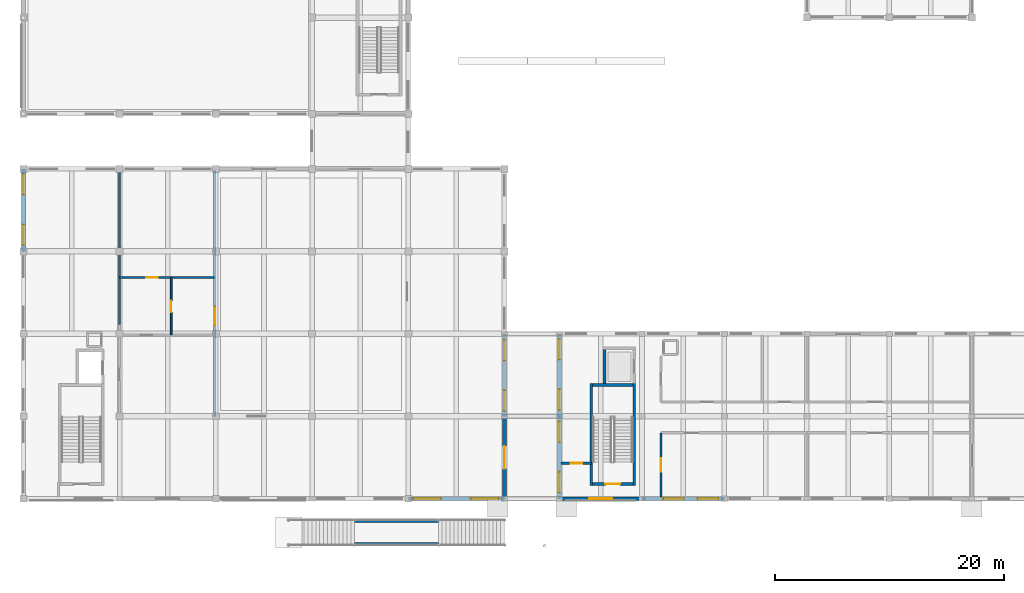
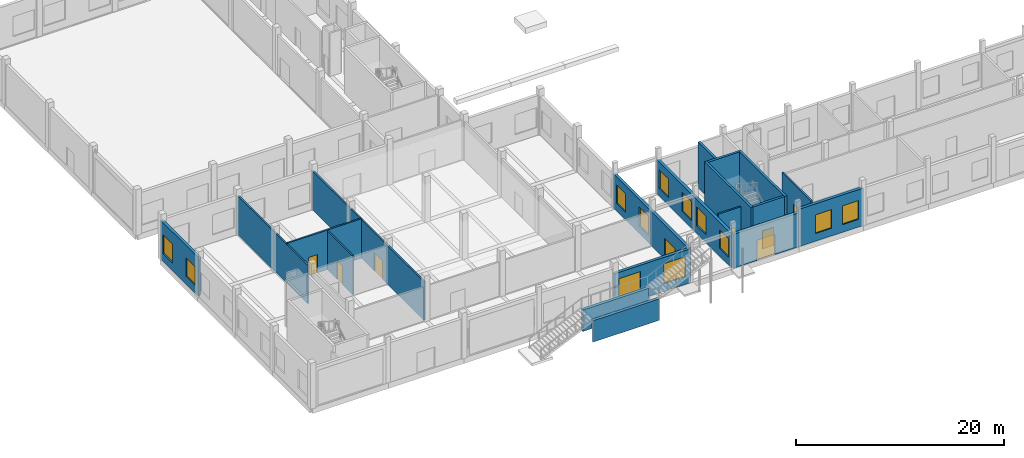
# One storey, part 15 of 41: 21 walls, 12 windows, 8 doors, 20 openings.
"""IFC4 building model written with IfcOpenShell, lengths in metres."""

from ifc_helpers import new_model, si_unit, direction, frame, frame_2d, origin, place, context, subcontext, project, spatial, rectangle, extrude, material, layer, layer_set, type_object, element, fill, save


model = new_model("IFC4")

# Units and contexts
model_context = context("Model", 3, precision=1e-05, world=origin(), true_north=direction((0.0, 1.0)))
body_context = subcontext(model_context, "Body", "Model", "MODEL_VIEW")
ifc_project = project(units=[si_unit("LENGTHUNIT", "METRE"), si_unit("AREAUNIT", "SQUARE_METRE"), si_unit("VOLUMEUNIT", "CUBIC_METRE"), si_unit("PLANEANGLEUNIT", "RADIAN"), si_unit("MASSUNIT", "GRAM", prefix="KILO")], contexts=[model_context])

# Site, building, storey
site_placement = place(None, origin())
site = spatial("IfcSite", under=ifc_project, at=site_placement, CompositionType="ELEMENT")
building_placement = place(site_placement, origin())
building = spatial("IfcBuilding", under=site, at=building_placement, Name="Kahlenmark Community Centre", CompositionType="ELEMENT")
storey_placement = place(building_placement, origin())
storey = spatial("IfcBuildingStorey", under=building, at=storey_placement, Name="L00", CompositionType="ELEMENT", Elevation=0.0)

# Wall, opening, door
ifc_material_1 = material(Name="Concrete C35/45", Category="concrete")
ifc_layer_1 = layer(ifc_material_1, 0.25)
ifc_layer_set_1 = layer_set([ifc_layer_1], Name="Concrete C35/45")
wall_type_1 = type_object("IfcWallType", Name="WT-CORE-250", PredefinedType="SHEAR", material=ifc_layer_set_1)
wall_1_placement = place(storey_placement, frame((53.699951171875, 10.074951171875, 0.0), z_axis=(0.0, 0.0, 1.0), x_axis=(1.0, 0.0, 0.0)))
wall_1 = element("IfcWall", 1, at=wall_1_placement, inside=storey, type_object=wall_type_1, Name="Core K3 shear wall WL-CORE-K3-L00-0071", PredefinedType="SHEAR", context=body_context, shape_type="SweptSolid", body=[
    extrude(rectangle(XDim=3.5, YDim=0.25, at=frame_2d((1.75, 0.0))), origin(), (0.0, 0.0, 1.0), 5.39990234375),
])
opening_1_placement = place(wall_1_placement, frame((1.10009765625, 0.0, -0.010009765625)))
opening_1 = element("IfcOpeningElement", 2, at=opening_1_placement, cuts=wall_1, Name="Opening FD-K3-L00", PredefinedType="OPENING", context=body_context, shape_type="SweptSolid", body=[
    extrude(rectangle(XDim=1.300048828125, YDim=2.159912109375, at=frame_2d((0.64990234375, 1.080078125))), frame((0.0, 0.135009765625, 0.0), z_axis=(0.0, -1.0, 0.0), x_axis=(1.0, 0.0, 0.0)), (0.0, 0.0, 1.0), 0.27001953125),
])
ifc_material_2 = material(Name="Fire-rated steel-framed timber door FD60S", Category="steel")
door_type_1 = type_object("IfcDoorType", Name="DT-FD-K3-L00", OperationType="NOTDEFINED", PredefinedType="DOOR", material=ifc_material_2)
door_1_placement = place(opening_1_placement, frame((0.0, 0.0, 0.010009765625)))
door_1 = element("IfcDoor", 3, at=door_1_placement, inside=storey, type_object=door_type_1, Name="Core K3 stair fire door L00", OperationType="SINGLE_SWING_RIGHT", OverallHeight=2.14990234375, OverallWidth=1.300048828125, PredefinedType="DOOR", context=body_context, shape_type="SweptSolid", body=[
    extrude(rectangle(XDim=1.300048828125, YDim=2.14990234375, at=frame_2d((0.64990234375, 1.074951171875))), frame((0.0, 0.02490234375, 0.0), z_axis=(0.0, -1.0, 0.0), x_axis=(1.0, 0.0, 0.0)), (0.0, 0.0, 1.0), 0.050048828125),
])
fill(opening_1, door_1)

# Walls
wall_2_placement = place(storey_placement, frame((53.574951171875, 9.949951171875, 0.0), z_axis=(0.0, 0.0, 1.0), x_axis=(0.0, 1.0, 0.0)))
element("IfcWall", 4, at=wall_2_placement, inside=storey, type_object=wall_type_1, Name="Core K3 shear wall WL-CORE-K3-L00-0072", PredefinedType="SHEAR", context=body_context, shape_type="SweptSolid", body=[
    extrude(rectangle(XDim=8.900146484375, YDim=0.25, at=frame_2d((4.4501953125, 0.0))), origin(), (0.0, 0.0, 1.0), 5.39990234375),
])
wall_3_placement = place(storey_placement, frame((57.199951171875, 18.72509765625, 0.0), z_axis=(0.0, 0.0, 1.0), x_axis=(-1.0, 0.0, 0.0)))
element("IfcWall", 5, at=wall_3_placement, inside=storey, type_object=wall_type_1, Name="Core K3 shear wall WL-CORE-K3-L00-0073", PredefinedType="SHEAR", context=body_context, shape_type="SweptSolid", body=[
    extrude(rectangle(XDim=3.5, YDim=0.25, at=frame_2d((1.75, 0.0))), origin(), (0.0, 0.0, 1.0), 5.39990234375),
])
wall_4_placement = place(storey_placement, frame((57.324951171875, 9.949951171875, 0.0), z_axis=(0.0, 0.0, 1.0), x_axis=(0.0, 1.0, 0.0)))
element("IfcWall", 6, at=wall_4_placement, inside=storey, type_object=wall_type_1, Name="Core K3 shear wall WL-CORE-K3-L00-0074", PredefinedType="SHEAR", context=body_context, shape_type="SweptSolid", body=[
    extrude(rectangle(XDim=8.900146484375, YDim=0.25, at=frame_2d((4.4501953125, 0.0))), origin(), (0.0, 0.0, 1.0), 5.39990234375),
])
wall_5_placement = place(storey_placement, frame((54.715087890625, 18.85009765625, 0.0), z_axis=(0.0, 0.0, 1.0), x_axis=(0.0, 1.0, 0.0)))
element("IfcWall", 7, at=wall_5_placement, inside=storey, type_object=wall_type_1, Name="Core K3 shear wall WL-CORE-K3-L00-0077", PredefinedType="SHEAR", context=body_context, shape_type="SweptSolid", body=[
    extrude(rectangle(XDim=3.2099609375, YDim=0.25, at=frame_2d((1.60498046875, 0.0))), origin(), (0.0, 0.0, 1.0), 5.39990234375),
])

# Wall, openings, windows
ifc_material_3 = material(Name="Danube limestone masonry", Category="masonry")
ifc_layer_2 = layer(ifc_material_3, 0.320068359375)
ifc_layer_set_2 = layer_set([ifc_layer_2], Name="Danube limestone masonry")
wall_type_2 = type_object("IfcWallType", Name="WT-EW-320", PredefinedType="SOLIDWALL", material=ifc_layer_set_2)
wall_6_placement = place(storey_placement, frame((37.60009765625, 8.800048828125, 0.0), z_axis=(0.0, 0.0, 1.0), x_axis=(1.0, 0.0, 0.0)))
wall_6 = element("IfcWall", 8, at=wall_6_placement, inside=storey, type_object=wall_type_2, Name="Exterior wall WL-EXT-L00-0139", PredefinedType="SOLIDWALL", context=body_context, shape_type="SweptSolid", body=[
    extrude(rectangle(XDim=8.39990234375, YDim=0.320068359375, at=frame_2d((4.199951171875, 0.0))), origin(), (0.0, 0.0, 1.0), 3.989990234375),
])
opening_2_placement = place(wall_6_placement, frame((0.4599609375, 0.0, 0.89990234375)))
opening_2 = element("IfcOpeningElement", 9, at=opening_2_placement, cuts=wall_6, Name="Opening W-240X235", PredefinedType="OPENING", context=body_context, shape_type="SweptSolid", body=[
    extrude(rectangle(XDim=2.39990234375, YDim=2.35009765625, at=frame_2d((1.199951171875, 1.175048828125))), frame((0.0, 0.169921875, 0.0), z_axis=(0.0, -1.0, 0.0), x_axis=(1.0, 0.0, 0.0)), (0.0, 0.0, 1.0), 0.340087890625),
])
opening_3_placement = place(wall_6_placement, frame((5.4599609375, 0.0, 0.89990234375)))
opening_3 = element("IfcOpeningElement", 10, at=opening_3_placement, cuts=wall_6, Name="Opening W-240X235", PredefinedType="OPENING", context=body_context, shape_type="SweptSolid", body=[
    extrude(rectangle(XDim=2.39990234375, YDim=2.35009765625, at=frame_2d((1.199951171875, 1.175048828125))), frame((0.0, 0.169921875, 0.0), z_axis=(0.0, -1.0, 0.0), x_axis=(1.0, 0.0, 0.0)), (0.0, 0.0, 1.0), 0.340087890625),
])
ifc_material_4 = material(Name="Triple low-e insulated glazing in timber-aluminium frame", Category="wood")
window_type_1 = type_object("IfcWindowType", Name="WNT-240X235", PartitioningType="TRIPLE_PANEL_VERTICAL", PredefinedType="WINDOW", material=ifc_material_4)
window_1_placement = place(opening_2_placement, origin())
window_1 = element("IfcWindow", 11, at=window_1_placement, inside=storey, type_object=window_type_1, Name="Window W-240X235 #0006", OverallHeight=2.35009765625, OverallWidth=2.39990234375, PartitioningType="TRIPLE_PANEL_VERTICAL", PredefinedType="WINDOW", context=body_context, shape_type="SweptSolid", body=[
    extrude(rectangle(XDim=2.39990234375, YDim=2.35009765625, at=frame_2d((1.199951171875, 1.175048828125))), frame((0.0, 0.030029296875, 0.0), z_axis=(0.0, -1.0, 0.0), x_axis=(1.0, 0.0, 0.0)), (0.0, 0.0, 1.0), 0.06005859375),
])
fill(opening_2, window_1)
window_2_placement = place(opening_3_placement, origin())
window_2 = element("IfcWindow", 12, at=window_2_placement, inside=storey, type_object=window_type_1, Name="Window W-240X235 #0007", OverallHeight=2.35009765625, OverallWidth=2.39990234375, PartitioningType="TRIPLE_PANEL_VERTICAL", PredefinedType="WINDOW", context=body_context, shape_type="SweptSolid", body=[
    extrude(rectangle(XDim=2.39990234375, YDim=2.35009765625, at=frame_2d((1.199951171875, 1.175048828125))), frame((0.0, 0.030029296875, 0.0), z_axis=(0.0, -1.0, 0.0), x_axis=(1.0, 0.0, 0.0)), (0.0, 0.0, 1.0), 0.06005859375),
])
fill(opening_3, window_2)

wall_7_placement = place(storey_placement, frame((4.0, 37.60009765625, 0.0), z_axis=(0.0, 0.0, 1.0), x_axis=(0.0, -1.0, 0.0)))
wall_7 = element("IfcWall", 13, at=wall_7_placement, inside=storey, type_object=wall_type_2, Name="Exterior wall WL-EXT-L00-0147", PredefinedType="SOLIDWALL", context=body_context, shape_type="SweptSolid", body=[
    extrude(rectangle(XDim=7.2001953125, YDim=0.320068359375, at=frame_2d((3.60009765625, 0.0))), origin(), (0.0, 0.0, 1.0), 4.5400390625),
])
opening_4_placement = place(wall_7_placement, frame((0.4599609375, 0.0, 0.89990234375)))
opening_4 = element("IfcOpeningElement", 14, at=opening_4_placement, cuts=wall_7, Name="Opening W-180X220", PredefinedType="OPENING", context=body_context, shape_type="SweptSolid", body=[
    extrude(rectangle(XDim=1.800048828125, YDim=2.199951171875, at=frame_2d((0.89990234375, 1.10009765625))), frame((0.0, 0.169921875, 0.0), z_axis=(0.0, -1.0, 0.0), x_axis=(1.0, 0.0, 0.0)), (0.0, 0.0, 1.0), 0.340087890625),
])
opening_5_placement = place(wall_7_placement, frame((4.860107421875, 0.0, 0.89990234375)))
opening_5 = element("IfcOpeningElement", 15, at=opening_5_placement, cuts=wall_7, Name="Opening W-180X220", PredefinedType="OPENING", context=body_context, shape_type="SweptSolid", body=[
    extrude(rectangle(XDim=1.800048828125, YDim=2.199951171875, at=frame_2d((0.89990234375, 1.10009765625))), frame((0.0, 0.169921875, 0.0), z_axis=(0.0, -1.0, 0.0), x_axis=(1.0, 0.0, 0.0)), (0.0, 0.0, 1.0), 0.340087890625),
])
window_type_2 = type_object("IfcWindowType", Name="WNT-180X220", PartitioningType="DOUBLE_PANEL_VERTICAL", PredefinedType="WINDOW", material=ifc_material_4)
window_3_placement = place(opening_4_placement, origin())
window_3 = element("IfcWindow", 16, at=window_3_placement, inside=storey, type_object=window_type_2, Name="Window W-180X220 #0020", OverallHeight=2.199951171875, OverallWidth=1.800048828125, PartitioningType="DOUBLE_PANEL_VERTICAL", PredefinedType="WINDOW", context=body_context, shape_type="SweptSolid", body=[
    extrude(rectangle(XDim=1.800048828125, YDim=2.199951171875, at=frame_2d((0.89990234375, 1.10009765625))), frame((0.0, 0.030029296875, 0.0), z_axis=(0.0, -1.0, 0.0), x_axis=(1.0, 0.0, 0.0)), (0.0, 0.0, 1.0), 0.06005859375),
])
fill(opening_4, window_3)
window_4_placement = place(opening_5_placement, origin())
window_4 = element("IfcWindow", 17, at=window_4_placement, inside=storey, type_object=window_type_2, Name="Window W-180X220 #0021", OverallHeight=2.199951171875, OverallWidth=1.800048828125, PartitioningType="DOUBLE_PANEL_VERTICAL", PredefinedType="WINDOW", context=body_context, shape_type="SweptSolid", body=[
    extrude(rectangle(XDim=1.800048828125, YDim=2.199951171875, at=frame_2d((0.89990234375, 1.10009765625))), frame((0.0, 0.030029296875, 0.0), z_axis=(0.0, -1.0, 0.0), x_axis=(1.0, 0.0, 0.0)), (0.0, 0.0, 1.0), 0.06005859375),
])
fill(opening_5, window_4)

# Wall, opening, door
wall_8_placement = place(storey_placement, frame((46.0, 8.800048828125, 0.0), z_axis=(0.0, 0.0, 1.0), x_axis=(0.0, 1.0, 0.0)))
wall_8 = element("IfcWall", 18, at=wall_8_placement, inside=storey, type_object=wall_type_2, Name="Exterior wall WL-EXT-L00-0148", PredefinedType="SOLIDWALL", context=body_context, shape_type="SweptSolid", body=[
    extrude(rectangle(XDim=7.199951171875, YDim=0.320068359375, at=frame_2d((3.60009765625, 0.0))), origin(), (0.0, 0.0, 1.0), 3.989990234375),
])
opening_6_placement = place(wall_8_placement, frame((2.60009765625, 0.0, -0.010009765625)))
opening_6 = element("IfcOpeningElement", 19, at=opening_6_placement, cuts=wall_8, Name="Opening D-E02", PredefinedType="OPENING", context=body_context, shape_type="SweptSolid", body=[
    extrude(rectangle(XDim=2.0, YDim=2.409912109375, at=frame_2d((1.0, 1.205078125))), frame((0.0, 0.169921875, 0.0), z_axis=(0.0, -1.0, 0.0), x_axis=(1.0, 0.0, 0.0)), (0.0, 0.0, 1.0), 0.340087890625),
])
ifc_material_5 = material(Name="Thermally broken glazed aluminium double entrance door", Category="aluminium")
door_type_2 = type_object("IfcDoorType", Name="DT-EXT-200X240", OperationType="NOTDEFINED", PredefinedType="DOOR", material=ifc_material_5)
door_2_placement = place(opening_6_placement, frame((0.0, 0.0, 0.010009765625)))
door_2 = element("IfcDoor", 20, at=door_2_placement, inside=storey, type_object=door_type_2, Name="Exterior door D-E02", OperationType="DOUBLE_SWING_LEFT", OverallHeight=2.39990234375, OverallWidth=2.0, PredefinedType="DOOR", context=body_context, shape_type="SweptSolid", body=[
    extrude(rectangle(XDim=2.0, YDim=2.39990234375, at=frame_2d((1.0, 1.199951171875))), frame((0.0, 0.02490234375, 0.0), z_axis=(0.0, -1.0, 0.0), x_axis=(1.0, 0.0, 0.0)), (0.0, 0.0, 1.0), 0.050048828125),
])
fill(opening_6, door_2)

# Wall, openings, windows
wall_9_placement = place(storey_placement, frame((46.0, 16.0, 0.0), z_axis=(0.0, 0.0, 1.0), x_axis=(0.0, 1.0, 0.0)))
wall_9 = element("IfcWall", 21, at=wall_9_placement, inside=storey, type_object=wall_type_2, Name="Exterior wall WL-EXT-L00-0149", PredefinedType="SOLIDWALL", context=body_context, shape_type="SweptSolid", body=[
    extrude(rectangle(XDim=7.199951171875, YDim=0.320068359375, at=frame_2d((3.60009765625, 0.0))), origin(), (0.0, 0.0, 1.0), 3.989990234375),
])
opening_7_placement = place(wall_9_placement, frame((0.4599609375, 0.0, 0.89990234375)))
opening_7 = element("IfcOpeningElement", 22, at=opening_7_placement, cuts=wall_9, Name="Opening W-180X220", PredefinedType="OPENING", context=body_context, shape_type="SweptSolid", body=[
    extrude(rectangle(XDim=1.800048828125, YDim=2.199951171875, at=frame_2d((0.89990234375, 1.10009765625))), frame((0.0, 0.169921875, 0.0), z_axis=(0.0, -1.0, 0.0), x_axis=(1.0, 0.0, 0.0)), (0.0, 0.0, 1.0), 0.340087890625),
])
opening_8_placement = place(wall_9_placement, frame((4.860107421875, 0.0, 0.89990234375)))
opening_8 = element("IfcOpeningElement", 23, at=opening_8_placement, cuts=wall_9, Name="Opening W-180X220", PredefinedType="OPENING", context=body_context, shape_type="SweptSolid", body=[
    extrude(rectangle(XDim=1.800048828125, YDim=2.199951171875, at=frame_2d((0.89990234375, 1.10009765625))), frame((0.0, 0.169921875, 0.0), z_axis=(0.0, -1.0, 0.0), x_axis=(1.0, 0.0, 0.0)), (0.0, 0.0, 1.0), 0.340087890625),
])
window_5_placement = place(opening_7_placement, origin())
window_5 = element("IfcWindow", 24, at=window_5_placement, inside=storey, type_object=window_type_2, Name="Window W-180X220 #0022", OverallHeight=2.199951171875, OverallWidth=1.800048828125, PartitioningType="DOUBLE_PANEL_VERTICAL", PredefinedType="WINDOW", context=body_context, shape_type="SweptSolid", body=[
    extrude(rectangle(XDim=1.800048828125, YDim=2.199951171875, at=frame_2d((0.89990234375, 1.10009765625))), frame((0.0, 0.030029296875, 0.0), z_axis=(0.0, -1.0, 0.0), x_axis=(1.0, 0.0, 0.0)), (0.0, 0.0, 1.0), 0.06005859375),
])
fill(opening_7, window_5)
window_6_placement = place(opening_8_placement, origin())
window_6 = element("IfcWindow", 25, at=window_6_placement, inside=storey, type_object=window_type_2, Name="Window W-180X220 #0023", OverallHeight=2.199951171875, OverallWidth=1.800048828125, PartitioningType="DOUBLE_PANEL_VERTICAL", PredefinedType="WINDOW", context=body_context, shape_type="SweptSolid", body=[
    extrude(rectangle(XDim=1.800048828125, YDim=2.199951171875, at=frame_2d((0.89990234375, 1.10009765625))), frame((0.0, 0.030029296875, 0.0), z_axis=(0.0, -1.0, 0.0), x_axis=(1.0, 0.0, 0.0)), (0.0, 0.0, 1.0), 0.06005859375),
])
fill(opening_8, window_6)

# Wall, opening, door
wall_10_placement = place(storey_placement, frame((50.800048828125, 8.800048828125, 0.0), z_axis=(0.0, 0.0, 1.0), x_axis=(1.0, 0.0, 0.0)))
wall_10 = element("IfcWall", 26, at=wall_10_placement, inside=storey, type_object=wall_type_2, Name="Exterior wall WL-EXT-L00-0167", PredefinedType="SOLIDWALL", context=body_context, shape_type="SweptSolid", body=[
    extrude(rectangle(XDim=7.199951171875, YDim=0.320068359375, at=frame_2d((3.60009765625, 0.0))), origin(), (0.0, 0.0, 1.0), 3.989990234375),
])
opening_9_placement = place(wall_10_placement, frame((2.60009765625, 0.0, -0.010009765625)))
opening_9 = element("IfcOpeningElement", 27, at=opening_9_placement, cuts=wall_10, Name="Opening D-E04", PredefinedType="OPENING", context=body_context, shape_type="SweptSolid", body=[
    extrude(rectangle(XDim=2.0, YDim=2.409912109375, at=frame_2d((1.0, 1.205078125))), frame((0.0, 0.169921875, 0.0), z_axis=(0.0, -1.0, 0.0), x_axis=(1.0, 0.0, 0.0)), (0.0, 0.0, 1.0), 0.340087890625),
])
door_3_placement = place(opening_9_placement, frame((0.0, 0.0, 0.010009765625)))
door_3 = element("IfcDoor", 28, at=door_3_placement, inside=storey, type_object=door_type_2, Name="Exterior door D-E04", OperationType="DOUBLE_SWING_LEFT", OverallHeight=2.39990234375, OverallWidth=2.0, PredefinedType="DOOR", context=body_context, shape_type="SweptSolid", body=[
    extrude(rectangle(XDim=2.0, YDim=2.39990234375, at=frame_2d((1.0, 1.199951171875))), frame((0.0, 0.02490234375, 0.0), z_axis=(0.0, -1.0, 0.0), x_axis=(1.0, 0.0, 0.0)), (0.0, 0.0, 1.0), 0.050048828125),
])
fill(opening_9, door_3)

# Wall, openings, windows
wall_11_placement = place(storey_placement, frame((58.0, 8.800048828125, 0.0), z_axis=(0.0, 0.0, 1.0), x_axis=(1.0, 0.0, 0.0)))
wall_11 = element("IfcWall", 29, at=wall_11_placement, inside=storey, type_object=wall_type_2, Name="Exterior wall WL-EXT-L00-0168", PredefinedType="SOLIDWALL", context=body_context, shape_type="SweptSolid", body=[
    extrude(rectangle(XDim=7.199951171875, YDim=0.320068359375, at=frame_2d((3.60009765625, 0.0))), origin(), (0.0, 0.0, 1.0), 4.389892578125),
])
opening_10_placement = place(wall_11_placement, frame((1.860107421875, 0.0, 0.89990234375)))
opening_10 = element("IfcOpeningElement", 30, at=opening_10_placement, cuts=wall_11, Name="Opening W-180X220", PredefinedType="OPENING", context=body_context, shape_type="SweptSolid", body=[
    extrude(rectangle(XDim=1.800048828125, YDim=2.199951171875, at=frame_2d((0.89990234375, 1.10009765625))), frame((0.0, 0.169921875, 0.0), z_axis=(0.0, -1.0, 0.0), x_axis=(1.0, 0.0, 0.0)), (0.0, 0.0, 1.0), 0.340087890625),
])
opening_11_placement = place(wall_11_placement, frame((4.860107421875, 0.0, 0.89990234375)))
opening_11 = element("IfcOpeningElement", 31, at=opening_11_placement, cuts=wall_11, Name="Opening W-180X220", PredefinedType="OPENING", context=body_context, shape_type="SweptSolid", body=[
    extrude(rectangle(XDim=1.800048828125, YDim=2.199951171875, at=frame_2d((0.89990234375, 1.10009765625))), frame((0.0, 0.169921875, 0.0), z_axis=(0.0, -1.0, 0.0), x_axis=(1.0, 0.0, 0.0)), (0.0, 0.0, 1.0), 0.340087890625),
])
window_7_placement = place(opening_10_placement, origin())
window_7 = element("IfcWindow", 32, at=window_7_placement, inside=storey, type_object=window_type_2, Name="Window W-180X220 #0048", OverallHeight=2.199951171875, OverallWidth=1.800048828125, PartitioningType="DOUBLE_PANEL_VERTICAL", PredefinedType="WINDOW", context=body_context, shape_type="SweptSolid", body=[
    extrude(rectangle(XDim=1.800048828125, YDim=2.199951171875, at=frame_2d((0.89990234375, 1.10009765625))), frame((0.0, 0.030029296875, 0.0), z_axis=(0.0, -1.0, 0.0), x_axis=(1.0, 0.0, 0.0)), (0.0, 0.0, 1.0), 0.06005859375),
])
fill(opening_10, window_7)
window_8_placement = place(opening_11_placement, origin())
window_8 = element("IfcWindow", 33, at=window_8_placement, inside=storey, type_object=window_type_2, Name="Window W-180X220 #0049", OverallHeight=2.199951171875, OverallWidth=1.800048828125, PartitioningType="DOUBLE_PANEL_VERTICAL", PredefinedType="WINDOW", context=body_context, shape_type="SweptSolid", body=[
    extrude(rectangle(XDim=1.800048828125, YDim=2.199951171875, at=frame_2d((0.89990234375, 1.10009765625))), frame((0.0, 0.030029296875, 0.0), z_axis=(0.0, -1.0, 0.0), x_axis=(1.0, 0.0, 0.0)), (0.0, 0.0, 1.0), 0.06005859375),
])
fill(opening_11, window_8)

wall_12_placement = place(storey_placement, frame((50.800048828125, 16.0, 0.0), z_axis=(0.0, 0.0, 1.0), x_axis=(0.0, -1.0, 0.0)))
wall_12 = element("IfcWall", 34, at=wall_12_placement, inside=storey, type_object=wall_type_2, Name="Exterior wall WL-EXT-L00-0177", PredefinedType="SOLIDWALL", context=body_context, shape_type="SweptSolid", body=[
    extrude(rectangle(XDim=7.199951171875, YDim=0.320068359375, at=frame_2d((3.60009765625, 0.0))), origin(), (0.0, 0.0, 1.0), 3.989990234375),
])
opening_12_placement = place(wall_12_placement, frame((0.4599609375, 0.0, 0.89990234375)))
opening_12 = element("IfcOpeningElement", 35, at=opening_12_placement, cuts=wall_12, Name="Opening W-180X220", PredefinedType="OPENING", context=body_context, shape_type="SweptSolid", body=[
    extrude(rectangle(XDim=1.800048828125, YDim=2.199951171875, at=frame_2d((0.89990234375, 1.10009765625))), frame((0.0, 0.169921875, 0.0), z_axis=(0.0, -1.0, 0.0), x_axis=(1.0, 0.0, 0.0)), (0.0, 0.0, 1.0), 0.340087890625),
])
opening_13_placement = place(wall_12_placement, frame((4.860107421875, 0.0, 0.89990234375)))
opening_13 = element("IfcOpeningElement", 36, at=opening_13_placement, cuts=wall_12, Name="Opening W-180X220", PredefinedType="OPENING", context=body_context, shape_type="SweptSolid", body=[
    extrude(rectangle(XDim=1.800048828125, YDim=2.199951171875, at=frame_2d((0.89990234375, 1.10009765625))), frame((0.0, 0.169921875, 0.0), z_axis=(0.0, -1.0, 0.0), x_axis=(1.0, 0.0, 0.0)), (0.0, 0.0, 1.0), 0.340087890625),
])
window_9_placement = place(opening_12_placement, origin())
window_9 = element("IfcWindow", 37, at=window_9_placement, inside=storey, type_object=window_type_2, Name="Window W-180X220 #0062", OverallHeight=2.199951171875, OverallWidth=1.800048828125, PartitioningType="DOUBLE_PANEL_VERTICAL", PredefinedType="WINDOW", context=body_context, shape_type="SweptSolid", body=[
    extrude(rectangle(XDim=1.800048828125, YDim=2.199951171875, at=frame_2d((0.89990234375, 1.10009765625))), frame((0.0, 0.030029296875, 0.0), z_axis=(0.0, -1.0, 0.0), x_axis=(1.0, 0.0, 0.0)), (0.0, 0.0, 1.0), 0.06005859375),
])
fill(opening_12, window_9)
window_10_placement = place(opening_13_placement, origin())
window_10 = element("IfcWindow", 38, at=window_10_placement, inside=storey, type_object=window_type_2, Name="Window W-180X220 #0063", OverallHeight=2.199951171875, OverallWidth=1.800048828125, PartitioningType="DOUBLE_PANEL_VERTICAL", PredefinedType="WINDOW", context=body_context, shape_type="SweptSolid", body=[
    extrude(rectangle(XDim=1.800048828125, YDim=2.199951171875, at=frame_2d((0.89990234375, 1.10009765625))), frame((0.0, 0.030029296875, 0.0), z_axis=(0.0, -1.0, 0.0), x_axis=(1.0, 0.0, 0.0)), (0.0, 0.0, 1.0), 0.06005859375),
])
fill(opening_13, window_10)

wall_13_placement = place(storey_placement, frame((50.800048828125, 23.199951171875, 0.0), z_axis=(0.0, 0.0, 1.0), x_axis=(0.0, -1.0, 0.0)))
wall_13 = element("IfcWall", 39, at=wall_13_placement, inside=storey, type_object=wall_type_2, Name="Exterior wall WL-EXT-L00-0178", PredefinedType="SOLIDWALL", context=body_context, shape_type="SweptSolid", body=[
    extrude(rectangle(XDim=7.199951171875, YDim=0.320068359375, at=frame_2d((3.60009765625, 0.0))), origin(), (0.0, 0.0, 1.0), 3.989990234375),
])
opening_14_placement = place(wall_13_placement, frame((0.4599609375, 0.0, 0.89990234375)))
opening_14 = element("IfcOpeningElement", 40, at=opening_14_placement, cuts=wall_13, Name="Opening W-180X220", PredefinedType="OPENING", context=body_context, shape_type="SweptSolid", body=[
    extrude(rectangle(XDim=1.800048828125, YDim=2.199951171875, at=frame_2d((0.89990234375, 1.10009765625))), frame((0.0, 0.169921875, 0.0), z_axis=(0.0, -1.0, 0.0), x_axis=(1.0, 0.0, 0.0)), (0.0, 0.0, 1.0), 0.340087890625),
])
opening_15_placement = place(wall_13_placement, frame((4.860107421875, 0.0, 0.89990234375)))
opening_15 = element("IfcOpeningElement", 41, at=opening_15_placement, cuts=wall_13, Name="Opening W-180X220", PredefinedType="OPENING", context=body_context, shape_type="SweptSolid", body=[
    extrude(rectangle(XDim=1.800048828125, YDim=2.199951171875, at=frame_2d((0.89990234375, 1.10009765625))), frame((0.0, 0.169921875, 0.0), z_axis=(0.0, -1.0, 0.0), x_axis=(1.0, 0.0, 0.0)), (0.0, 0.0, 1.0), 0.340087890625),
])
window_11_placement = place(opening_14_placement, origin())
window_11 = element("IfcWindow", 42, at=window_11_placement, inside=storey, type_object=window_type_2, Name="Window W-180X220 #0064", OverallHeight=2.199951171875, OverallWidth=1.800048828125, PartitioningType="DOUBLE_PANEL_VERTICAL", PredefinedType="WINDOW", context=body_context, shape_type="SweptSolid", body=[
    extrude(rectangle(XDim=1.800048828125, YDim=2.199951171875, at=frame_2d((0.89990234375, 1.10009765625))), frame((0.0, 0.030029296875, 0.0), z_axis=(0.0, -1.0, 0.0), x_axis=(1.0, 0.0, 0.0)), (0.0, 0.0, 1.0), 0.06005859375),
])
fill(opening_14, window_11)
window_12_placement = place(opening_15_placement, origin())
window_12 = element("IfcWindow", 43, at=window_12_placement, inside=storey, type_object=window_type_2, Name="Window W-180X220 #0065", OverallHeight=2.199951171875, OverallWidth=1.800048828125, PartitioningType="DOUBLE_PANEL_VERTICAL", PredefinedType="WINDOW", context=body_context, shape_type="SweptSolid", body=[
    extrude(rectangle(XDim=1.800048828125, YDim=2.199951171875, at=frame_2d((0.89990234375, 1.10009765625))), frame((0.0, 0.030029296875, 0.0), z_axis=(0.0, -1.0, 0.0), x_axis=(1.0, 0.0, 0.0)), (0.0, 0.0, 1.0), 0.06005859375),
])
fill(opening_15, window_12)

# Wall, opening, door
ifc_material_6 = material(Name="Gypsum plasterboard partition", Category="gypsum")
ifc_layer_3 = layer(ifc_material_6, 0.14990234375)
ifc_layer_set_3 = layer_set([ifc_layer_3], Name="Gypsum plasterboard partition")
wall_type_3 = type_object("IfcWallType", Name="WT-PW-150", PredefinedType="PARTITIONING", material=ifc_layer_set_3)
wall_14_placement = place(storey_placement, frame((16.89990234375, 23.10009765625, 0.0), z_axis=(0.0, 0.0, 1.0), x_axis=(0.0, 1.0, 0.0)))
wall_14 = element("IfcWall", 44, at=wall_14_placement, inside=storey, type_object=wall_type_3, Name="Interior partition WL-INT-L00-0021", PredefinedType="PARTITIONING", context=body_context, shape_type="SweptSolid", body=[
    extrude(rectangle(XDim=5.0, YDim=0.14990234375, at=frame_2d((2.5, 0.0))), origin(), (0.0, 0.0, 1.0), 4.5400390625),
])
opening_16_placement = place(wall_14_placement, frame((2.0, 0.0, -0.010009765625)))
opening_16 = element("IfcOpeningElement", 45, at=opening_16_placement, cuts=wall_14, Name="Opening D-L00-013", PredefinedType="OPENING", context=body_context, shape_type="SweptSolid", body=[
    extrude(rectangle(XDim=1.0, YDim=2.159912109375, at=frame_2d((0.5, 1.080078125))), frame((0.0, 0.0849609375, 0.0), z_axis=(0.0, -1.0, 0.0), x_axis=(1.0, 0.0, 0.0)), (0.0, 0.0, 1.0), 0.169921875),
])
ifc_material_7 = material(Name="Oak timber veneer door leaf", Category="wood")
door_type_3 = type_object("IfcDoorType", Name="DT-INT-100X215", OperationType="NOTDEFINED", PredefinedType="DOOR", material=ifc_material_7)
door_4_placement = place(opening_16_placement, frame((0.0, 0.0, 0.010009765625)))
door_4 = element("IfcDoor", 46, at=door_4_placement, inside=storey, type_object=door_type_3, Name="Interior door D-L00-013", OperationType="SINGLE_SWING_RIGHT", OverallHeight=2.14990234375, OverallWidth=1.0, PredefinedType="DOOR", context=body_context, shape_type="SweptSolid", body=[
    extrude(rectangle(XDim=1.0, YDim=2.14990234375, at=frame_2d((0.5, 1.074951171875))), frame((0.0, 0.02490234375, 0.0), z_axis=(0.0, -1.0, 0.0), x_axis=(1.0, 0.0, 0.0)), (0.0, 0.0, 1.0), 0.050048828125),
])
fill(opening_16, door_4)

# Wall
ifc_layer_4 = layer(ifc_material_6, 0.179931640625)
ifc_layer_set_4 = layer_set([ifc_layer_4], Name="Gypsum plasterboard partition")
wall_type_4 = type_object("IfcWallType", Name="WT-PW-180", PredefinedType="PARTITIONING", material=ifc_layer_set_4)
wall_15_placement = place(storey_placement, frame((12.39990234375, 24.0, 0.0), z_axis=(0.0, 0.0, 1.0), x_axis=(0.0, 1.0, 0.0)))
element("IfcWall", 47, at=wall_15_placement, inside=storey, type_object=wall_type_4, Name="Interior partition WL-INT-L00-0017", PredefinedType="PARTITIONING", context=body_context, shape_type="SweptSolid", body=[
    extrude(rectangle(XDim=13.449951171875, YDim=0.179931640625, at=frame_2d((6.72509765625, 0.0))), origin(), (0.0, 0.0, 1.0), 4.5400390625),
])

# Wall, opening, door
wall_16_placement = place(storey_placement, frame((20.699951171875, 16.0, 0.0), z_axis=(0.0, 0.0, 1.0), x_axis=(0.0, 1.0, 0.0)))
wall_16 = element("IfcWall", 48, at=wall_16_placement, inside=storey, type_object=wall_type_4, Name="Interior partition WL-INT-L00-0018", PredefinedType="PARTITIONING", context=body_context, shape_type="SweptSolid", body=[
    extrude(rectangle(XDim=21.449951171875, YDim=0.179931640625, at=frame_2d((10.72509765625, 0.0))), origin(), (0.0, 0.0, 1.0), 4.5400390625),
])
opening_17_placement = place(wall_16_placement, frame((7.93994140625, 0.0, -0.010009765625)))
opening_17 = element("IfcOpeningElement", 49, at=opening_17_placement, cuts=wall_16, Name="Opening D-L00-010", PredefinedType="OPENING", context=body_context, shape_type="SweptSolid", body=[
    extrude(rectangle(XDim=1.60009765625, YDim=2.2099609375, at=frame_2d((0.800048828125, 1.10498046875))), frame((0.0, 0.099853515625, 0.0), z_axis=(0.0, -1.0, 0.0), x_axis=(1.0, 0.0, 0.0)), (0.0, 0.0, 1.0), 0.199951171875),
])
ifc_material_8 = material(Name="Oak double-leaf acoustic door")
door_type_4 = type_object("IfcDoorType", Name="DT-DBL-160X220", OperationType="NOTDEFINED", PredefinedType="DOOR", material=ifc_material_8)
door_5_placement = place(opening_17_placement, frame((0.0, 0.0, 0.010009765625)))
door_5 = element("IfcDoor", 50, at=door_5_placement, inside=storey, type_object=door_type_4, Name="Interior door D-L00-010", OperationType="DOUBLE_SWING_LEFT", OverallHeight=2.199951171875, OverallWidth=1.60009765625, PredefinedType="DOOR", context=body_context, shape_type="SweptSolid", body=[
    extrude(rectangle(XDim=1.60009765625, YDim=2.199951171875, at=frame_2d((0.800048828125, 1.10009765625))), frame((0.0, 0.02490234375, 0.0), z_axis=(0.0, -1.0, 0.0), x_axis=(1.0, 0.0, 0.0)), (0.0, 0.0, 1.0), 0.050048828125),
])
fill(opening_17, door_5)

wall_17_placement = place(storey_placement, frame((12.39990234375, 28.10009765625, 0.0), z_axis=(0.0, 0.0, 1.0), x_axis=(1.0, 0.0, 0.0)))
wall_17 = element("IfcWall", 51, at=wall_17_placement, inside=storey, type_object=wall_type_4, Name="Interior partition WL-INT-L00-0022", PredefinedType="PARTITIONING", context=body_context, shape_type="SweptSolid", body=[
    extrude(rectangle(XDim=8.300048828125, YDim=0.179931640625, at=frame_2d((4.14990234375, 0.0))), origin(), (0.0, 0.0, 1.0), 4.639892578125),
])
opening_18_placement = place(wall_17_placement, frame((2.3359375, 0.0, -0.010009765625)))
opening_18 = element("IfcOpeningElement", 52, at=opening_18_placement, cuts=wall_17, Name="Opening D-L00-014", PredefinedType="OPENING", context=body_context, shape_type="SweptSolid", body=[
    extrude(rectangle(XDim=1.0, YDim=2.159912109375, at=frame_2d((0.5, 1.080078125))), frame((0.0, 0.099853515625, 0.0), z_axis=(0.0, -1.0, 0.0), x_axis=(1.0, 0.0, 0.0)), (0.0, 0.0, 1.0), 0.199951171875),
])
door_6_placement = place(opening_18_placement, frame((0.0, 0.0, 0.010009765625)))
door_6 = element("IfcDoor", 53, at=door_6_placement, inside=storey, type_object=door_type_3, Name="Interior door D-L00-014", OperationType="SINGLE_SWING_LEFT", OverallHeight=2.14990234375, OverallWidth=1.0, PredefinedType="DOOR", context=body_context, shape_type="SweptSolid", body=[
    extrude(rectangle(XDim=1.0, YDim=2.14990234375, at=frame_2d((0.5, 1.074951171875))), frame((0.0, 0.02490234375, 0.0), z_axis=(0.0, -1.0, 0.0), x_axis=(1.0, 0.0, 0.0)), (0.0, 0.0, 1.0), 0.050048828125),
])
fill(opening_18, door_6)

wall_18_placement = place(storey_placement, frame((50.949951171875, 11.89990234375, 0.0), z_axis=(0.0, 0.0, 1.0), x_axis=(1.0, 0.0, 0.0)))
wall_18 = element("IfcWall", 54, at=wall_18_placement, inside=storey, type_object=wall_type_4, Name="Interior partition WL-INT-L00-0031", PredefinedType="PARTITIONING", context=body_context, shape_type="SweptSolid", body=[
    extrude(rectangle(XDim=2.650146484375, YDim=0.179931640625, at=frame_2d((1.3251953125, 0.0))), origin(), (0.0, 0.0, 1.0), 4.389892578125),
])
opening_19_placement = place(wall_18_placement, frame((0.824951171875, 0.0, -0.010009765625)))
opening_19 = element("IfcOpeningElement", 55, at=opening_19_placement, cuts=wall_18, Name="Opening D-L00-021", PredefinedType="OPENING", context=body_context, shape_type="SweptSolid", body=[
    extrude(rectangle(XDim=1.0, YDim=2.159912109375, at=frame_2d((0.5, 1.080078125))), frame((0.0, 0.099853515625, 0.0), z_axis=(0.0, -1.0, 0.0), x_axis=(1.0, 0.0, 0.0)), (0.0, 0.0, 1.0), 0.199951171875),
])
door_7_placement = place(opening_19_placement, frame((1.0, 0.0, 0.010009765625), z_axis=(0.0, 0.0, 1.0), x_axis=(-1.0, 0.0, 0.0)))
door_7 = element("IfcDoor", 56, at=door_7_placement, inside=storey, type_object=door_type_3, Name="Interior door D-L00-021", OperationType="SINGLE_SWING_RIGHT", OverallHeight=2.14990234375, OverallWidth=1.0, PredefinedType="DOOR", context=body_context, shape_type="SweptSolid", body=[
    extrude(rectangle(XDim=1.0, YDim=2.14990234375, at=frame_2d((0.5, 1.074951171875))), frame((0.0, 0.02490234375, 0.0), z_axis=(0.0, -1.0, 0.0), x_axis=(1.0, 0.0, 0.0)), (0.0, 0.0, 1.0), 0.050048828125),
])
fill(opening_19, door_7)

wall_19_placement = place(storey_placement, frame((59.64990234375, 8.949951171875, 0.0), z_axis=(0.0, 0.0, 1.0), x_axis=(0.0, 1.0, 0.0)))
wall_19 = element("IfcWall", 57, at=wall_19_placement, inside=storey, type_object=wall_type_4, Name="Interior partition WL-INT-L00-0032", PredefinedType="PARTITIONING", context=body_context, shape_type="SweptSolid", body=[
    extrude(rectangle(XDim=5.60009765625, YDim=0.179931640625, at=frame_2d((2.800048828125, 0.0))), origin(), (0.0, 0.0, 1.0), 4.639892578125),
])
opening_20_placement = place(wall_19_placement, frame((2.199951171875, 0.0, -0.010009765625)))
opening_20 = element("IfcOpeningElement", 58, at=opening_20_placement, cuts=wall_19, Name="Opening D-L00-022", PredefinedType="OPENING", context=body_context, shape_type="SweptSolid", body=[
    extrude(rectangle(XDim=1.199951171875, YDim=2.2099609375, at=frame_2d((0.60009765625, 1.10498046875))), frame((0.0, 0.099853515625, 0.0), z_axis=(0.0, -1.0, 0.0), x_axis=(1.0, 0.0, 0.0)), (0.0, 0.0, 1.0), 0.199951171875),
])
ifc_material_9 = material(Name="Fire-rated timber door FD60S", Category="wood")
door_type_5 = type_object("IfcDoorType", Name="DT-FD60-120X220", OperationType="NOTDEFINED", PredefinedType="DOOR", material=ifc_material_9)
door_8_placement = place(opening_20_placement, frame((0.0, 0.0, 0.010009765625)))
door_8 = element("IfcDoor", 59, at=door_8_placement, inside=storey, type_object=door_type_5, Name="Interior door D-L00-022", OperationType="SINGLE_SWING_LEFT", OverallHeight=2.199951171875, OverallWidth=1.199951171875, PredefinedType="DOOR", context=body_context, shape_type="SweptSolid", body=[
    extrude(rectangle(XDim=1.199951171875, YDim=2.199951171875, at=frame_2d((0.60009765625, 1.10009765625))), frame((0.0, 0.02490234375, 0.0), z_axis=(0.0, -1.0, 0.0), x_axis=(1.0, 0.0, 0.0)), (0.0, 0.0, 1.0), 0.050048828125),
])
fill(opening_20, door_8)

# Walls
ifc_layer_5 = layer(ifc_material_3, 0.320068359375)
ifc_layer_set_5 = layer_set([ifc_layer_5], Name="Danube limestone masonry")
wall_type_5 = type_object("IfcWallType", Name="WT-ST09-PIER", PredefinedType="SOLIDWALL", material=ifc_layer_set_5)
for number, where, z_axis, x_axis, name in (
    (60, (32.919921875, 4.8349609375, 0.0), (0.0, 0.0, 1.0), (1.0, 0.0, 0.0), "Ceremonial stair belvedere wall WL-ST09-PIER-S"),
    (61, (32.919921875, 6.864990234375, 0.0), (0.0, 0.0, 1.0), (1.0, 0.0, 0.0), "Ceremonial stair belvedere wall WL-ST09-PIER-N"),
):
    element("IfcWall", number, at=place(storey_placement, frame(where, z_axis=z_axis, x_axis=x_axis)), inside=storey, type_object=wall_type_5, Name=name, PredefinedType="SOLIDWALL", context=body_context, shape_type="SweptSolid", body=[
        extrude(rectangle(XDim=7.300048828125, YDim=0.320068359375, at=frame_2d((3.64990234375, 0.0))), origin(), (0.0, 0.0, 1.0), 2.52001953125),
    ])

save(model, "model.ifc")
